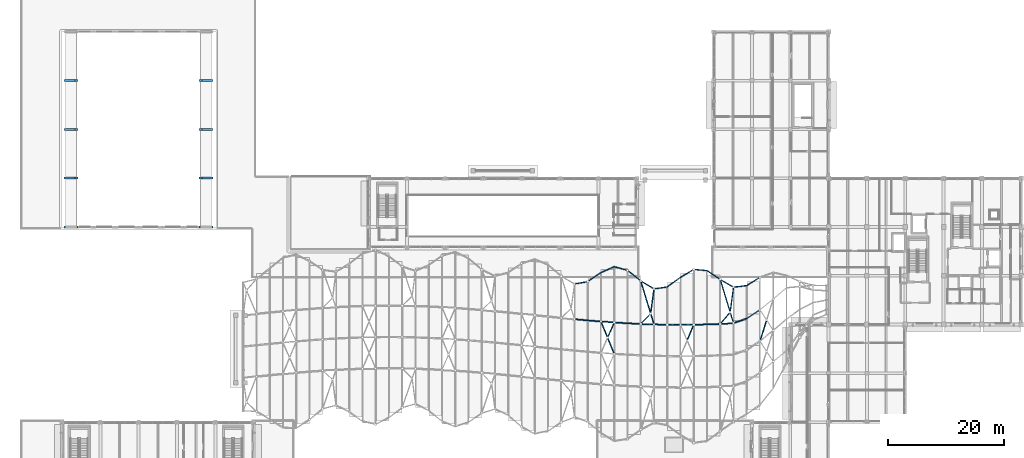
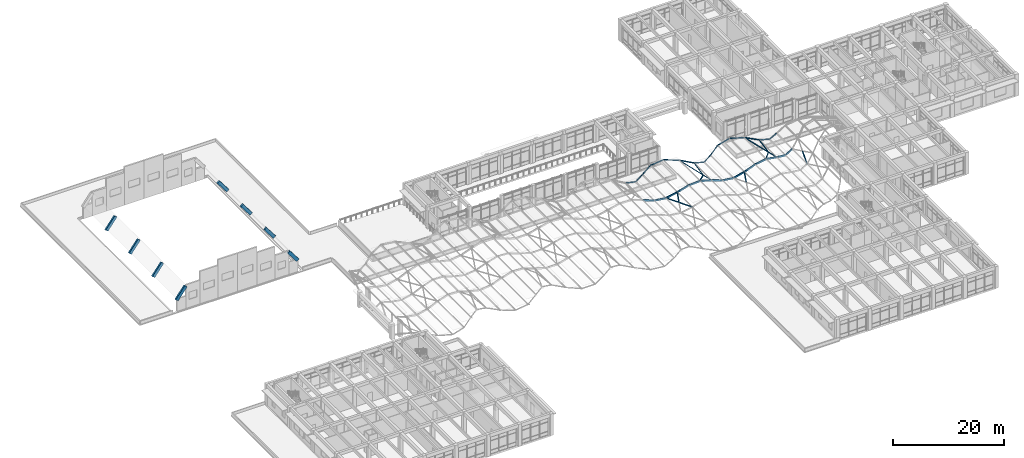
# One storey, part 18 of 79: 38 members, 8 beams.
"""IFC4 building model written with IfcOpenShell, lengths in metres."""

from ifc_helpers import new_model, si_unit, direction, frame, origin, origin_2d, place, context, subcontext, project, spatial, rectangle, hollow_rectangle, hollow_circle, extrude, material, material_profile, profile_set, type_object, element, save


model = new_model("IFC4")

# Units and contexts
model_context = context("Model", 3, precision=1e-05, world=origin(), true_north=direction((0.0, 1.0)))
body_context = subcontext(model_context, "Body", "Model", "MODEL_VIEW")
ifc_project = project(units=[si_unit("LENGTHUNIT", "METRE"), si_unit("AREAUNIT", "SQUARE_METRE"), si_unit("VOLUMEUNIT", "CUBIC_METRE"), si_unit("PLANEANGLEUNIT", "RADIAN"), si_unit("MASSUNIT", "GRAM", prefix="KILO")], contexts=[model_context])

# Site, building, storey
site_placement = place(None, origin())
site = spatial("IfcSite", under=ifc_project, at=site_placement, CompositionType="ELEMENT")
building_placement = place(site_placement, origin())
building = spatial("IfcBuilding", under=site, at=building_placement, Name="Kolvaren Faculty of Natural Sciences", CompositionType="ELEMENT")
storey_placement = place(building_placement, frame((0.0, 0.0, 10.199951171875)))
storey = spatial("IfcBuildingStorey", under=building, at=storey_placement, Name="L02", CompositionType="ELEMENT", Elevation=10.199951171875)

# Members
ifc_material_1 = material(Name="Structural steel EN 10210-1 S355J2H (white architectural finish)", Category="steel")
ifc_material_profile_1 = material_profile(ifc_material_1, hollow_circle(Radius=0.084228515625, WallThickness=0.008056640625, at=origin_2d()), Name="CHS 168.3x8")
ifc_profile_set_1 = profile_set([ifc_material_profile_1], Name="Structural steel EN 10210-1 S355J2H (white architectural finish)")
member_type_1 = type_object("IfcMemberType", Name="CanopyGridCrossBrace_CHS168", PredefinedType="BRACE", material=ifc_profile_set_1)
member_1_placement = place(storey_placement, frame((99.609130859375, 59.51953125, 2.417724609375), z_axis=(0.377304886331, -0.920493121468, 0.101653509927), x_axis=(0.925286228992, 0.379269553798, 0.0)))
element("IfcMember", 1, at=member_1_placement, inside=storey, type_object=member_type_1, Name="Canopy X-brace continuous diagonal N2-28-A", PredefinedType="BRACE", context=body_context, shape_type="SweptSolid", body=[
    extrude(hollow_circle(Radius=0.084228515625, WallThickness=0.008056640625, at=origin_2d()), origin(), (0.0, 0.0, 1.0), 6.04736328125),
])
member_2_placement = place(storey_placement, frame((100.75, 56.736083984375, 2.72509765625), z_axis=(0.397333246995, 0.911409174949, 0.107049552315), x_axis=(-0.916676686462, 0.399629644168, 0.0)))
element("IfcMember", 2, at=member_2_placement, inside=storey, type_object=member_type_1, Name="Canopy X-brace split diagonal N2-28-B2", PredefinedType="BRACE", context=body_context, shape_type="SweptSolid", body=[
    extrude(hollow_circle(Radius=0.084228515625, WallThickness=0.008056640625, at=origin_2d()), origin(), (0.0, 0.0, 1.0), 2.871337890625),
])
member_3_placement = place(storey_placement, frame((106.45458984375, 66.505859375, 4.048828125), z_axis=(0.290669271079, -0.954020959805, -0.073180483078), x_axis=(0.956585840217, 0.291450733909, 0.0)))
element("IfcMember", 3, at=member_3_placement, inside=storey, type_object=member_type_1, Name="Canopy X-brace continuous diagonal N1-31-A", PredefinedType="BRACE", context=body_context, shape_type="SweptSolid", body=[
    extrude(hollow_circle(Radius=0.084228515625, WallThickness=0.008056640625, at=origin_2d()), origin(), (0.0, 0.0, 1.0), 7.849853515625),
])
member_4_placement = place(storey_placement, frame((106.45458984375, 59.09912109375, 4.048828125), z_axis=(0.680886301728, 0.712065260766, -0.171338578637), x_axis=(-0.722753185763, 0.691106238193, 0.0)))
element("IfcMember", 4, at=member_4_placement, inside=storey, type_object=member_type_1, Name="Canopy X-brace split diagonal N1-31-B1", PredefinedType="BRACE", context=body_context, shape_type="SweptSolid", body=[
    extrude(hollow_circle(Radius=0.084228515625, WallThickness=0.008056640625, at=origin_2d()), origin(), (0.0, 0.0, 1.0), 2.513427734375),
])
member_5_placement = place(storey_placement, frame((108.166015625, 60.888916015625, 3.6181640625), z_axis=(0.132707398523, 0.990590285982, -0.033460898001), x_axis=(-0.991145300225, 0.132781752671, 0.0)))
element("IfcMember", 5, at=member_5_placement, inside=storey, type_object=member_type_1, Name="Canopy X-brace split diagonal N1-31-B2", PredefinedType="BRACE", context=body_context, shape_type="SweptSolid", body=[
    extrude(hollow_circle(Radius=0.084228515625, WallThickness=0.008056640625, at=origin_2d()), origin(), (0.0, 0.0, 1.0), 4.297607421875),
])
member_6_placement = place(storey_placement, frame((114.44091796875, 56.25830078125, 2.654296875), z_axis=(0.386611150325, 0.917839525295, 0.090013467056), x_axis=(-0.92158063738, 0.388186976607, 0.0)))
element("IfcMember", 6, at=member_6_placement, inside=storey, type_object=member_type_1, Name="Canopy X-brace split diagonal N2-34-B2", PredefinedType="BRACE", context=body_context, shape_type="SweptSolid", body=[
    extrude(hollow_circle(Radius=0.084228515625, WallThickness=0.008056640625, at=origin_2d()), origin(), (0.0, 0.0, 1.0), 2.950927734375),
])
member_7_placement = place(storey_placement, frame((126.990966796875, 56.130615234375, 2.375732421875), z_axis=(0.298869862247, 0.952571737279, 0.057305242151), x_axis=(-0.954139670801, 0.299361802179, 0.0)))
element("IfcMember", 7, at=member_7_placement, inside=storey, type_object=member_type_1, Name="Canopy X-brace split diagonal N2-40-B1", PredefinedType="BRACE", context=body_context, shape_type="SweptSolid", body=[
    extrude(hollow_circle(Radius=0.084228515625, WallThickness=0.008056640625, at=origin_2d()), origin(), (0.0, 0.0, 1.0), 3.8173828125),
])
ifc_material_profile_2 = material_profile(ifc_material_1, hollow_rectangle(XDim=0.175048828125, YDim=0.35009765625, WallThickness=0.012451171875, at=origin_2d()), Name="RHS 350x175x12.5")
ifc_profile_set_2 = profile_set([ifc_material_profile_2], Name="Structural steel EN 10210-1 S355J2H (white architectural finish)")
member_type_2 = type_object("IfcMemberType", Name="CanopySpineChord_RHS350", PredefinedType="PURLIN", material=ifc_profile_set_2)
member_8_placement = place(storey_placement, frame((95.04541015625, 59.91455078125, 3.309814453125), z_axis=(0.942580255907, -0.085313244517, -0.322899537757), x_axis=(0.090141850898, 0.99592893658, 0.0)))
element("IfcMember", 8, at=member_8_placement, inside=storey, type_object=member_type_2, Name="Covered street wave canopy n-spine chord 26", PredefinedType="PURLIN", context=body_context, shape_type="SweptSolid", body=[
    extrude(hollow_rectangle(XDim=0.175048828125, YDim=0.35009765625, WallThickness=0.012451171875, at=origin_2d()), origin(), (0.0, 0.0, 1.0), 2.4208984375),
])
member_9_placement = place(storey_placement, frame((97.327392578125, 59.7080078125, 2.528076171875), z_axis=(0.99416897444, -0.082120527313, -0.069887547208), x_axis=(0.082321814352, 0.996605799141, 0.0)))
element("IfcMember", 9, at=member_9_placement, inside=storey, type_object=member_type_2, Name="Covered street wave canopy n-spine chord 27", PredefinedType="PURLIN", context=body_context, shape_type="SweptSolid", body=[
    extrude(hollow_rectangle(XDim=0.175048828125, YDim=0.35009765625, WallThickness=0.012451171875, at=origin_2d()), origin(), (0.0, 0.0, 1.0), 2.295166015625),
])
member_10_placement = place(storey_placement, frame((99.609130859375, 59.51953125, 2.36767578125), z_axis=(0.963156146704, -0.070283810406, 0.259596654563), x_axis=(0.072778879193, 0.997348101088, 0.0)))
element("IfcMember", 10, at=member_10_placement, inside=storey, type_object=member_type_2, Name="Covered street wave canopy n-spine chord 28", PredefinedType="PURLIN", context=body_context, shape_type="SweptSolid", body=[
    extrude(hollow_rectangle(XDim=0.175048828125, YDim=0.35009765625, WallThickness=0.012451171875, at=origin_2d()), origin(), (0.0, 0.0, 1.0), 2.369140625),
])
member_11_placement = place(storey_placement, frame((101.890869140625, 59.35302734375, 2.982666015625), z_axis=(0.942132190168, -0.058265825585, 0.330139409672), x_axis=(0.061726707173, 0.998093088655, 0.0)))
element("IfcMember", 11, at=member_11_placement, inside=storey, type_object=member_type_2, Name="Covered street wave canopy n-spine chord 29", PredefinedType="PURLIN", context=body_context, shape_type="SweptSolid", body=[
    extrude(hollow_rectangle(XDim=0.175048828125, YDim=0.35009765625, WallThickness=0.012451171875, at=origin_2d()), origin(), (0.0, 0.0, 1.0), 2.421875),
])
member_12_placement = place(storey_placement, frame((104.172607421875, 59.2119140625, 3.7822265625), z_axis=(0.994324443792, -0.049147094579, 0.094358166432), x_axis=(0.049367356177, 0.998780688712, 0.0)))
element("IfcMember", 12, at=member_12_placement, inside=storey, type_object=member_type_2, Name="Covered street wave canopy n-spine chord 30", PredefinedType="PURLIN", context=body_context, shape_type="SweptSolid", body=[
    extrude(hollow_rectangle(XDim=0.175048828125, YDim=0.35009765625, WallThickness=0.012451171875, at=origin_2d()), origin(), (0.0, 0.0, 1.0), 2.294921875),
])
member_13_placement = place(storey_placement, frame((106.45458984375, 59.09912109375, 3.998779296875), z_axis=(0.969170543903, -0.034946551818, -0.243899969961), x_axis=(0.036034788217, 0.999350536117, 0.0)))
element("IfcMember", 13, at=member_13_placement, inside=storey, type_object=member_type_2, Name="Covered street wave canopy n-spine chord 31", PredefinedType="PURLIN", context=body_context, shape_type="SweptSolid", body=[
    extrude(hollow_rectangle(XDim=0.175048828125, YDim=0.35009765625, WallThickness=0.012451171875, at=origin_2d()), origin(), (0.0, 0.0, 1.0), 2.354248046875),
])
member_14_placement = place(storey_placement, frame((108.736328125, 59.016845703125, 3.424560546875), z_axis=(0.941675447145, -0.020652986698, -0.335888086101), x_axis=(0.021926897745, 0.999759576676, 0.0)))
element("IfcMember", 14, at=member_14_placement, inside=storey, type_object=member_type_2, Name="Covered street wave canopy n-spine chord 32", PredefinedType="PURLIN", context=body_context, shape_type="SweptSolid", body=[
    extrude(hollow_rectangle(XDim=0.175048828125, YDim=0.35009765625, WallThickness=0.012451171875, at=origin_2d()), origin(), (0.0, 0.0, 1.0), 2.42333984375),
])
member_15_placement = place(storey_placement, frame((111.018310546875, 58.966796875, 2.610595703125), z_axis=(0.992956839852, -0.00733083907, -0.118249621523), x_axis=(0.00738263638, 0.999972747969, 0.0)))
element("IfcMember", 15, at=member_15_placement, inside=storey, type_object=member_type_2, Name="Covered street wave canopy n-spine chord 33", PredefinedType="PURLIN", context=body_context, shape_type="SweptSolid", body=[
    extrude(hollow_rectangle(XDim=0.175048828125, YDim=0.35009765625, WallThickness=0.012451171875, at=origin_2d()), origin(), (0.0, 0.0, 1.0), 2.2978515625),
])
member_16_placement = place(storey_placement, frame((113.300048828125, 58.949951171875, 2.3388671875), z_axis=(0.973948080995, 0.007190500491, 0.226657080694), x_axis=(-0.00738263638, 0.999972747969, 0.0)))
element("IfcMember", 16, at=member_16_placement, inside=storey, type_object=member_type_2, Name="Covered street wave canopy n-spine chord 34", PredefinedType="PURLIN", context=body_context, shape_type="SweptSolid", body=[
    extrude(hollow_rectangle(XDim=0.175048828125, YDim=0.35009765625, WallThickness=0.012451171875, at=origin_2d()), origin(), (0.0, 0.0, 1.0), 2.3427734375),
])
member_17_placement = place(storey_placement, frame((115.581787109375, 58.966796875, 2.869873046875), z_axis=(0.940319886822, 0.020625462957, 0.339666160701), x_axis=(-0.021929242743, 0.999759525242, 0.0)))
element("IfcMember", 17, at=member_17_placement, inside=storey, type_object=member_type_2, Name="Covered street wave canopy n-spine chord 35", PredefinedType="PURLIN", context=body_context, shape_type="SweptSolid", body=[
    extrude(hollow_rectangle(XDim=0.175048828125, YDim=0.35009765625, WallThickness=0.012451171875, at=origin_2d()), origin(), (0.0, 0.0, 1.0), 2.426513671875),
])
member_18_placement = place(storey_placement, frame((117.863525390625, 59.016845703125, 3.694091796875), z_axis=(0.989338557345, 0.035669957615, 0.141197992457), x_axis=(-0.036030937997, 0.999350674942, 0.0)))
element("IfcMember", 18, at=member_18_placement, inside=storey, type_object=member_type_2, Name="Covered street wave canopy n-spine chord 36", PredefinedType="PURLIN", context=body_context, shape_type="SweptSolid", body=[
    extrude(hollow_rectangle(XDim=0.175048828125, YDim=0.35009765625, WallThickness=0.012451171875, at=origin_2d()), origin(), (0.0, 0.0, 1.0), 2.306640625),
])
member_19_placement = place(storey_placement, frame((120.1455078125, 59.09912109375, 4.019775390625), z_axis=(0.976564300071, 0.056320153835, -0.207726281676), x_axis=(-0.057576060894, 0.998341122669, 0.0)))
element("IfcMember", 19, at=member_19_placement, inside=storey, type_object=member_type_2, Name="Covered street wave canopy n-spine chord 37", PredefinedType="PURLIN", context=body_context, shape_type="SweptSolid", body=[
    extrude(hollow_rectangle(XDim=0.175048828125, YDim=0.35009765625, WallThickness=0.012451171875, at=origin_2d()), origin(), (0.0, 0.0, 1.0), 2.33642578125),
])
member_20_placement = place(storey_placement, frame((122.42724609375, 59.230712890625, 3.534423828125), z_axis=(0.892938866101, 0.311468082976, -0.325035097633), x_axis=(-0.329351210224, 0.944207487962, 0.0)))
element("IfcMember", 20, at=member_20_placement, inside=storey, type_object=member_type_2, Name="Covered street wave canopy n-spine chord 38", PredefinedType="PURLIN", context=body_context, shape_type="SweptSolid", body=[
    extrude(hollow_rectangle(XDim=0.175048828125, YDim=0.35009765625, WallThickness=0.012451171875, at=origin_2d()), origin(), (0.0, 0.0, 1.0), 2.555419921875),
])
member_21_placement = place(storey_placement, frame((124.708984375, 60.026611328125, 2.703857421875), z_axis=(0.827098803966, 0.545087047441, -0.137068155274), x_axis=(-0.550280807421, 0.834979660222, 0.0)))
element("IfcMember", 21, at=member_21_placement, inside=storey, type_object=member_type_2, Name="Covered street wave canopy n-spine chord 39", PredefinedType="PURLIN", context=body_context, shape_type="SweptSolid", body=[
    extrude(hollow_rectangle(XDim=0.175048828125, YDim=0.35009765625, WallThickness=0.012451171875, at=origin_2d()), origin(), (0.0, 0.0, 1.0), 2.759033203125),
])
ifc_material_profile_3 = material_profile(ifc_material_1, hollow_rectangle(XDim=0.1201171875, YDim=0.219970703125, WallThickness=0.008056640625, at=origin_2d()), Name="RHS 220x120x8")
ifc_profile_set_3 = profile_set([ifc_material_profile_3], Name="Structural steel EN 10210-1 S355J2H (white architectural finish)")
member_type_3 = type_object("IfcMemberType", Name="CanopyWaveEdgeChord_RHS220", PredefinedType="RAFTER", material=ifc_profile_set_3)
member_22_placement = place(storey_placement, frame((95.04541015625, 65.9873046875, 3.374755859375), z_axis=(0.93312150907, 0.164821184495, -0.319559425541), x_axis=(-0.173941596962, 0.984755970201, 0.0)))
element("IfcMember", 22, at=member_22_placement, inside=storey, type_object=member_type_3, Name="Covered street wave canopy n-wave chord 26", PredefinedType="RAFTER", context=body_context, shape_type="SweptSolid", body=[
    extrude(hollow_rectangle(XDim=0.1201171875, YDim=0.219970703125, WallThickness=0.008056640625, at=origin_2d()), origin(), (0.0, 0.0, 1.0), 2.445556640625),
])
member_23_placement = place(storey_placement, frame((97.327392578125, 66.390380859375, 2.59326171875), z_axis=(0.827099551316, 0.559040002746, -0.058142992212), x_axis=(-0.559987352813, 0.828501155515, 0.0)))
element("IfcMember", 23, at=member_23_placement, inside=storey, type_object=member_type_3, Name="Covered street wave canopy n-wave chord 27", PredefinedType="RAFTER", context=body_context, shape_type="SweptSolid", body=[
    extrude(hollow_rectangle(XDim=0.1201171875, YDim=0.219970703125, WallThickness=0.008056640625, at=origin_2d()), origin(), (0.0, 0.0, 1.0), 2.7587890625),
])
member_24_placement = place(storey_placement, frame((99.609130859375, 67.9326171875, 2.432861328125), z_axis=(0.886008973021, 0.397500066753, 0.238708601976), x_axis=(-0.409333385904, 0.912384885443, 0.0)))
element("IfcMember", 24, at=member_24_placement, inside=storey, type_object=member_type_3, Name="Covered street wave canopy n-wave chord 28", PredefinedType="RAFTER", context=body_context, shape_type="SweptSolid", body=[
    extrude(hollow_rectangle(XDim=0.1201171875, YDim=0.219970703125, WallThickness=0.008056640625, at=origin_2d()), origin(), (0.0, 0.0, 1.0), 2.5751953125),
])
member_25_placement = place(storey_placement, frame((101.890869140625, 68.956298828125, 3.047607421875), z_axis=(0.912823542808, -0.253844252917, 0.319869152867), x_axis=(0.267920323907, 0.963441072426, 0.0)))
element("IfcMember", 25, at=member_25_placement, inside=storey, type_object=member_type_3, Name="Covered street wave canopy n-wave chord 29", PredefinedType="RAFTER", context=body_context, shape_type="SweptSolid", body=[
    extrude(hollow_rectangle(XDim=0.1201171875, YDim=0.219970703125, WallThickness=0.008056640625, at=origin_2d()), origin(), (0.0, 0.0, 1.0), 2.499755859375),
])
member_26_placement = place(storey_placement, frame((104.172607421875, 68.32177734375, 3.84716796875), z_axis=(0.780330135742, -0.620958120215, 0.074134284855), x_axis=(0.622671545501, 0.78248332022, 0.0)))
element("IfcMember", 26, at=member_26_placement, inside=storey, type_object=member_type_3, Name="Covered street wave canopy n-wave chord 30", PredefinedType="RAFTER", context=body_context, shape_type="SweptSolid", body=[
    extrude(hollow_rectangle(XDim=0.1201171875, YDim=0.219970703125, WallThickness=0.008056640625, at=origin_2d()), origin(), (0.0, 0.0, 1.0), 2.92431640625),
])
member_27_placement = place(storey_placement, frame((106.45458984375, 66.505859375, 4.06396484375), z_axis=(0.839602951014, -0.500383954328, -0.211383024153), x_axis=(0.511952387199, 0.85901382599, 0.0)))
element("IfcMember", 27, at=member_27_placement, inside=storey, type_object=member_type_3, Name="Covered street wave canopy n-wave chord 31", PredefinedType="RAFTER", context=body_context, shape_type="SweptSolid", body=[
    extrude(hollow_rectangle(XDim=0.1201171875, YDim=0.219970703125, WallThickness=0.008056640625, at=origin_2d()), origin(), (0.0, 0.0, 1.0), 2.717529296875),
])
member_28_placement = place(storey_placement, frame((108.736328125, 65.14599609375, 3.489501953125), z_axis=(0.933517394424, 0.132931598585, -0.332978174068), x_axis=(-0.140976487527, 0.990012944342, 0.0)))
element("IfcMember", 28, at=member_28_placement, inside=storey, type_object=member_type_3, Name="Covered street wave canopy n-wave chord 32", PredefinedType="RAFTER", context=body_context, shape_type="SweptSolid", body=[
    extrude(hollow_rectangle(XDim=0.1201171875, YDim=0.219970703125, WallThickness=0.008056640625, at=origin_2d()), origin(), (0.0, 0.0, 1.0), 2.444580078125),
])
member_29_placement = place(storey_placement, frame((111.018310546875, 65.470947265625, 2.675537109375), z_axis=(0.806516960161, 0.583357013769, -0.096046798273), x_axis=(-0.586066505083, 0.810262952146, 0.0)))
element("IfcMember", 29, at=member_29_placement, inside=storey, type_object=member_type_3, Name="Covered street wave canopy n-wave chord 33", PredefinedType="RAFTER", context=body_context, shape_type="SweptSolid", body=[
    extrude(hollow_rectangle(XDim=0.1201171875, YDim=0.219970703125, WallThickness=0.008056640625, at=origin_2d()), origin(), (0.0, 0.0, 1.0), 2.8291015625),
])
member_30_placement = place(storey_placement, frame((113.300048828125, 67.121337890625, 2.40380859375), z_axis=(0.839904399209, 0.506315149277, 0.195462451132), x_axis=(-0.516273451903, 0.85642379863, 0.0)))
element("IfcMember", 30, at=member_30_placement, inside=storey, type_object=member_type_3, Name="Covered street wave canopy n-wave chord 34", PredefinedType="RAFTER", context=body_context, shape_type="SweptSolid", body=[
    extrude(hollow_rectangle(XDim=0.1201171875, YDim=0.219970703125, WallThickness=0.008056640625, at=origin_2d()), origin(), (0.0, 0.0, 1.0), 2.716552734375),
])
member_31_placement = place(storey_placement, frame((115.581787109375, 68.496826171875, 2.934814453125), z_axis=(0.937193353234, -0.084032530495, 0.338536781566), x_axis=(0.089305753094, 0.996004258256, 0.0)))
element("IfcMember", 31, at=member_31_placement, inside=storey, type_object=member_type_3, Name="Covered street wave canopy n-wave chord 35", PredefinedType="RAFTER", context=body_context, shape_type="SweptSolid", body=[
    extrude(hollow_rectangle(XDim=0.1201171875, YDim=0.219970703125, WallThickness=0.008056640625, at=origin_2d()), origin(), (0.0, 0.0, 1.0), 2.4345703125),
])
member_32_placement = place(storey_placement, frame((117.863525390625, 68.292236328125, 3.759033203125), z_axis=(0.822989431756, -0.555762201053, 0.117544762105), x_axis=(0.559641870604, 0.828734563456, 0.0)))
element("IfcMember", 32, at=member_32_placement, inside=storey, type_object=member_type_3, Name="Covered street wave canopy n-wave chord 36", PredefinedType="RAFTER", context=body_context, shape_type="SweptSolid", body=[
    extrude(hollow_rectangle(XDim=0.1201171875, YDim=0.219970703125, WallThickness=0.008056640625, at=origin_2d()), origin(), (0.0, 0.0, 1.0), 2.772705078125),
])
member_33_placement = place(storey_placement, frame((120.1455078125, 66.751220703125, 4.0849609375), z_axis=(0.851257809272, -0.492483519659, -0.181163255151), x_axis=(0.500769738244, 0.865580538863, 0.0)))
element("IfcMember", 33, at=member_33_placement, inside=storey, type_object=member_type_3, Name="Covered street wave canopy n-wave chord 37", PredefinedType="RAFTER", context=body_context, shape_type="SweptSolid", body=[
    extrude(hollow_rectangle(XDim=0.1201171875, YDim=0.219970703125, WallThickness=0.008056640625, at=origin_2d()), origin(), (0.0, 0.0, 1.0), 2.680419921875),
])
member_34_placement = place(storey_placement, frame((122.42724609375, 65.43115234375, 3.599365234375), z_axis=(0.933759043116, 0.112099041983, -0.339893886655), x_axis=(-0.119195489317, 0.992870804952, 0.0)))
element("IfcMember", 34, at=member_34_placement, inside=storey, type_object=member_type_3, Name="Covered street wave canopy n-wave chord 38", PredefinedType="RAFTER", context=body_context, shape_type="SweptSolid", body=[
    extrude(hollow_rectangle(XDim=0.1201171875, YDim=0.219970703125, WallThickness=0.008056640625, at=origin_2d()), origin(), (0.0, 0.0, 1.0), 2.443603515625),
])
member_35_placement = place(storey_placement, frame((124.708984375, 65.705078125, 2.768798828125), z_axis=(0.840543969211, 0.523552689499, -0.139206383261), x_axis=(-0.528700439139, 0.848808485852, 0.0)))
element("IfcMember", 35, at=member_35_placement, inside=storey, type_object=member_type_3, Name="Covered street wave canopy n-wave chord 39", PredefinedType="RAFTER", context=body_context, shape_type="SweptSolid", body=[
    extrude(hollow_rectangle(XDim=0.1201171875, YDim=0.219970703125, WallThickness=0.008056640625, at=origin_2d()), origin(), (0.0, 0.0, 1.0), 2.71484375),
])
ifc_material_profile_4 = material_profile(ifc_material_1, hollow_circle(Radius=0.109619140625, WallThickness=0.010009765625, at=origin_2d()), Name="CHS 219.1x10")
ifc_profile_set_4 = profile_set([ifc_material_profile_4], Name="Structural steel EN 10210-1 S355J2H (white architectural finish)")
member_type_4 = type_object("IfcMemberType", Name="CanopyWindBrace_CHS219", PredefinedType="BRACE", material=ifc_profile_set_4)
member_36_placement = place(storey_placement, frame((120.1455078125, 66.751220703125, 4.06982421875), z_axis=(0.289781206951, -0.955105959652, -0.061639743143), x_axis=(0.956925588959, 0.290333286405, 0.0)))
element("IfcMember", 36, at=member_36_placement, inside=storey, type_object=member_type_4, Name="Canopy X-brace continuous diagonal N1-37-A", PredefinedType="BRACE", context=body_context, shape_type="SweptSolid", body=[
    extrude(hollow_circle(Radius=0.109619140625, WallThickness=0.010009765625, at=origin_2d()), origin(), (0.0, 0.0, 1.0), 7.8740234375),
])
member_37_placement = place(storey_placement, frame((120.1455078125, 59.09912109375, 4.06982421875), z_axis=(0.641902686688, 0.754533257961, -0.13653022908), x_axis=(-0.761665566581, 0.647970342443, 0.0)))
element("IfcMember", 37, at=member_37_placement, inside=storey, type_object=member_type_4, Name="Canopy X-brace split diagonal N1-37-B1", PredefinedType="BRACE", context=body_context, shape_type="SweptSolid", body=[
    extrude(hollow_circle(Radius=0.109619140625, WallThickness=0.010009765625, at=origin_2d()), origin(), (0.0, 0.0, 1.0), 2.666259765625),
])
member_38_placement = place(storey_placement, frame((121.85693359375, 61.11083984375, 3.705810546875), z_axis=(0.130821175476, 0.991015206003, -0.027833101118), x_axis=(-0.991399289756, 0.13087187731, 0.0)))
element("IfcMember", 38, at=member_38_placement, inside=storey, type_object=member_type_4, Name="Canopy X-brace split diagonal N1-37-B2", PredefinedType="BRACE", context=body_context, shape_type="SweptSolid", body=[
    extrude(hollow_circle(Radius=0.109619140625, WallThickness=0.010009765625, at=origin_2d()), origin(), (0.0, 0.0, 1.0), 4.359375),
])

# Beams
ifc_material_2 = material(Name="Concrete C40/50", Category="concrete")
ifc_material_profile_5 = material_profile(ifc_material_2, rectangle(XDim=0.35009765625, YDim=0.64990234375, at=origin_2d()), Name="RC RB 350x650")
ifc_profile_set_5 = profile_set([ifc_material_profile_5], Name="Concrete C40/50")
beam_type = type_object("IfcBeamType", Name="ShellArchRib_350x650", PredefinedType="BEAM", material=ifc_profile_set_5)
for number, where, z_axis, x_axis, name in (
    (39, (7.446044921875, 75.800048828125, 2.439453125), (0.607262254738, 0.0, 0.794501449949), (0.0, 1.0, 0.0), "Lecture Theatre Pavilion Barrel Vault Shell arched stiffening rib 1.2"),
    (40, (30.678955078125, 75.800048828125, 4.892578125), (0.607262254738, 0.0, -0.794501449949), (0.0, 1.0, 0.0), "Lecture Theatre Pavilion Barrel Vault Shell arched stiffening rib 1.9"),
    (41, (7.446044921875, 84.199951171875, 2.439453125), (0.607262254738, 0.0, 0.794501449949), (0.0, 1.0, 0.0), "Lecture Theatre Pavilion Barrel Vault Shell arched stiffening rib 2.2"),
    (42, (30.678955078125, 84.199951171875, 4.892578125), (0.607262254738, 0.0, -0.794501449949), (0.0, 1.0, 0.0), "Lecture Theatre Pavilion Barrel Vault Shell arched stiffening rib 2.9"),
    (43, (7.446044921875, 92.60009765625, 2.439453125), (0.607262254738, 0.0, 0.794501449949), (0.0, 1.0, 0.0), "Lecture Theatre Pavilion Barrel Vault Shell arched stiffening rib 3.2"),
    (44, (30.678955078125, 92.60009765625, 4.892578125), (0.607262254738, 0.0, -0.794501449949), (0.0, 1.0, 0.0), "Lecture Theatre Pavilion Barrel Vault Shell arched stiffening rib 3.9"),
    (45, (7.446044921875, 101.0, 2.439453125), (0.607262254738, 0.0, 0.794501449949), (0.0, 1.0, 0.0), "Lecture Theatre Pavilion Barrel Vault Shell arched stiffening rib 4.2"),
    (46, (30.678955078125, 101.0, 4.892578125), (0.607262254738, 0.0, -0.794501449949), (0.0, 1.0, 0.0), "Lecture Theatre Pavilion Barrel Vault Shell arched stiffening rib 4.9"),
):
    element("IfcBeam", number, at=place(storey_placement, frame(where, z_axis=z_axis, x_axis=x_axis)), inside=storey, type_object=beam_type, Name=name, PredefinedType="BEAM", context=body_context, shape_type="SweptSolid", body=[
        extrude(rectangle(XDim=0.35009765625, YDim=0.64990234375, at=origin_2d()), origin(), (0.0, 0.0, 1.0), 3.087646484375),
    ])

save(model, "model.ifc")
